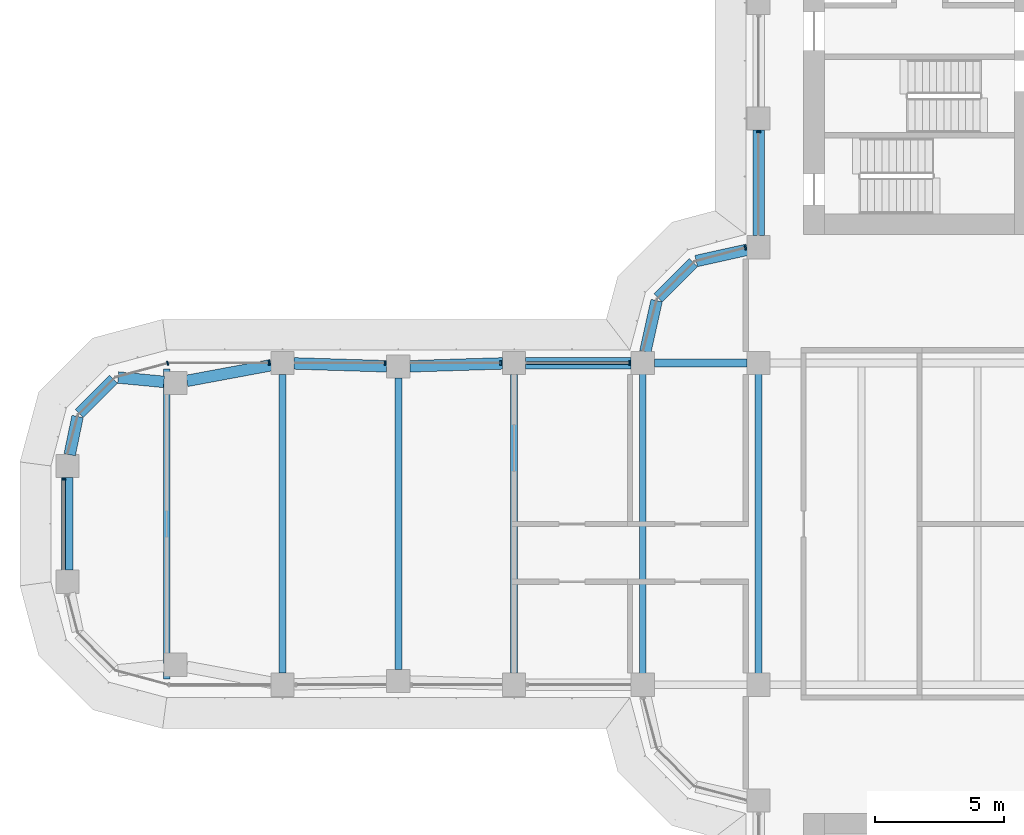
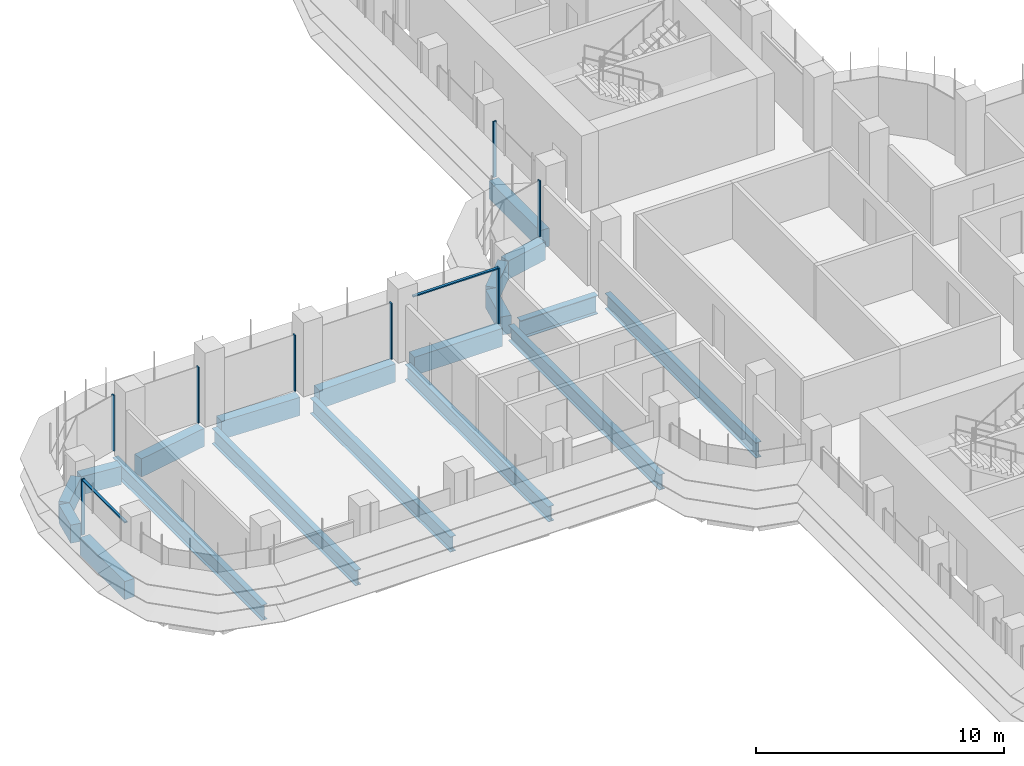
# One storey, part 6 of 22: 19 beams, 10 members, 5 elements without a shape of their own.
"""IFC4 building model written with IfcOpenShell, lengths in metres."""

from ifc_helpers import new_model, si_unit, direction, frame, origin, origin_2d, place, context, subcontext, project, spatial, polyline, rectangle, i_section, outline, extrude, source, transform, mapped, material, material_profile, profile_set, type_object, element, aggregate, save


model = new_model("IFC4")

# Units and contexts
model_context = context("Model", 3, precision=1e-05, world=origin(), true_north=direction((0.0, 1.0)))
body_context = subcontext(model_context, "Body", "Model", "MODEL_VIEW")
ifc_project = project(units=[si_unit("LENGTHUNIT", "METRE"), si_unit("AREAUNIT", "SQUARE_METRE"), si_unit("VOLUMEUNIT", "CUBIC_METRE"), si_unit("PLANEANGLEUNIT", "RADIAN"), si_unit("MASSUNIT", "GRAM", prefix="KILO")], contexts=[model_context])

# Site, building, storey
site_placement = place(None, origin())
site = spatial("IfcSite", under=ifc_project, at=site_placement, CompositionType="ELEMENT")
building_placement = place(site_placement, origin())
building = spatial("IfcBuilding", under=site, at=building_placement, Name="Zarbagh Exchange Tower", CompositionType="ELEMENT")
storey_placement = place(building_placement, frame((0.0, 0.0, 132.199951171875)))
storey = spatial("IfcBuildingStorey", under=building, at=storey_placement, Name="L31", CompositionType="ELEMENT", Elevation=132.199951171875)

# Beams
ifc_material_1 = material(Name="Steel ASTM A992 Gr 50", Category="steel")
ifc_material_profile_1 = material_profile(ifc_material_1, i_section(OverallWidth=0.2666015625, OverallDepth=0.7568359375, WebThickness=0.013916015625, FlangeThickness=0.019287109375, at=origin_2d()), Name="W30X108")
ifc_profile_set_1 = profile_set([ifc_material_profile_1], Name="Steel ASTM A992 Gr 50")
beam_type_1 = type_object("IfcBeamType", Name="Floor beam W30X108", PredefinedType="BEAM", material=ifc_profile_set_1)
for number, where, z_axis, x_axis, name in (
    (1, (-10.75, -6.09765625, -0.5283203125), (0.0, 1.0, 0.0), (-1.0, 0.0, 0.0), "Steel floor beam"),
    (2, (-6.25, -6.09765625, -0.5283203125), (0.0, 1.0, 0.0), (-1.0, 0.0, 0.0), "Steel floor beam"),
):
    element("IfcBeam", number, at=place(storey_placement, frame(where, z_axis=z_axis, x_axis=x_axis)), inside=storey, type_object=beam_type_1, Name=name, PredefinedType="BEAM", context=body_context, shape_type="SweptSolid", body=[
        extrude(i_section(OverallWidth=0.2666015625, OverallDepth=0.7568359375, WebThickness=0.013916015625, FlangeThickness=0.019287109375, at=origin_2d()), origin(), (0.0, 0.0, 1.0), 12.1953125),
    ])
beam_1_placement = place(storey_placement, frame((-15.75, -5.800048828125, -0.5283203125), z_axis=(0.0, 1.0, 0.0), x_axis=(-1.0, 0.0, 0.0)))
element("IfcBeam", 3, at=beam_1_placement, inside=storey, type_object=beam_type_1, Name="Steel floor beam", PredefinedType="BEAM", context=body_context, shape_type="SweptSolid", body=[
    extrude(i_section(OverallWidth=0.2666015625, OverallDepth=0.7568359375, WebThickness=0.013916015625, FlangeThickness=0.019287109375, at=origin_2d()), origin(), (0.0, 0.0, 1.0), 11.60009765625),
])
beam_2_placement = place(storey_placement, frame((-20.25, -5.659912109375, -0.5283203125), z_axis=(0.0, 1.0, 0.0), x_axis=(-1.0, 0.0, 0.0)))
element("IfcBeam", 4, at=beam_2_placement, inside=storey, type_object=beam_type_1, Name="Steel floor beam", PredefinedType="BEAM", context=body_context, shape_type="SweptSolid", body=[
    extrude(i_section(OverallWidth=0.2666015625, OverallDepth=0.7568359375, WebThickness=0.013916015625, FlangeThickness=0.019287109375, at=origin_2d()), origin(), (0.0, 0.0, 1.0), 11.31982421875),
])
beam_3_placement = place(storey_placement, frame((-24.75, -5.800048828125, -0.5283203125), z_axis=(0.0, 1.0, 0.0), x_axis=(-1.0, 0.0, 0.0)))
element("IfcBeam", 5, at=beam_3_placement, inside=storey, type_object=beam_type_1, Name="Steel floor beam", PredefinedType="BEAM", context=body_context, shape_type="SweptSolid", body=[
    extrude(i_section(OverallWidth=0.2666015625, OverallDepth=0.7568359375, WebThickness=0.013916015625, FlangeThickness=0.019287109375, at=origin_2d()), origin(), (0.0, 0.0, 1.0), 11.60009765625),
])
beam_4_placement = place(storey_placement, frame((-29.25, -6.02490234375, -0.5283203125), z_axis=(0.0, 1.0, 0.0), x_axis=(-1.0, 0.0, 0.0)))
element("IfcBeam", 6, at=beam_4_placement, inside=storey, type_object=beam_type_1, Name="Steel floor beam", PredefinedType="BEAM", context=body_context, shape_type="SweptSolid", body=[
    extrude(i_section(OverallWidth=0.2666015625, OverallDepth=0.7568359375, WebThickness=0.013916015625, FlangeThickness=0.019287109375, at=origin_2d()), origin(), (0.0, 0.0, 1.0), 12.0498046875),
])
ifc_material_profile_2 = material_profile(ifc_material_1, i_section(OverallWidth=0.3046875, OverallDepth=0.911865234375, WebThickness=0.015869140625, FlangeThickness=0.02392578125, at=origin_2d()), Name="W36X150")
ifc_profile_set_2 = profile_set([ifc_material_profile_2], Name="Steel ASTM A992 Gr 50")
beam_type_2 = type_object("IfcBeamType", Name="Floor girder W36X150", PredefinedType="BEAM", material=ifc_profile_set_2)
beam_5_placement = place(storey_placement, frame((-10.300048828125, 6.25, -0.60595703125), z_axis=(1.0, 0.0, 0.0), x_axis=(0.0, 1.0, 0.0)))
element("IfcBeam", 7, at=beam_5_placement, inside=storey, type_object=beam_type_2, Name="Steel girder", PredefinedType="BEAM", context=body_context, shape_type="SweptSolid", body=[
    extrude(i_section(OverallWidth=0.3046875, OverallDepth=0.911865234375, WebThickness=0.015869140625, FlangeThickness=0.02392578125, at=origin_2d()), origin(), (0.0, 0.0, 1.0), 3.60009765625),
])
ifc_material_2 = material(Name="Concrete C60/75", Category="concrete")
ifc_material_profile_3 = material_profile(ifc_material_2, rectangle(XDim=0.449951171875, YDim=0.89990234375, at=origin_2d()), Name="RC spandrel beam 450 x 900 C60/75")
ifc_profile_set_3 = profile_set([ifc_material_profile_3], Name="Concrete C60/75")
beam_type_3 = type_object("IfcBeamType", Name="RC spandrel beam 450 x 900 C60/75", PredefinedType="SPANDREL", material=ifc_profile_set_3)
beam_6_placement = place(storey_placement, frame((-33.110107421875, -1.800048828125, -0.599853515625), z_axis=(0.0, 1.0, 0.0), x_axis=(-1.0, 0.0, 0.0)))
element("IfcBeam", 8, at=beam_6_placement, inside=storey, type_object=beam_type_3, Name="RC spandrel beam", PredefinedType="SPANDREL", context=body_context, shape_type="SweptSolid", body=[
    extrude(rectangle(XDim=0.449951171875, YDim=0.89990234375, at=origin_2d()), origin(), (0.0, 0.0, 1.0), 3.60009765625),
])
beam_7_placement = place(storey_placement, frame((-33.01904296875, 2.690673828125, -0.599853515625), z_axis=(0.202275417995, 0.979328675816, 0.0), x_axis=(-0.979328675816, 0.202275417995, 0.0)))
element("IfcBeam", 9, at=beam_7_placement, inside=storey, type_object=beam_type_3, Name="RC spandrel beam", PredefinedType="SPANDREL", context=body_context, shape_type="SweptSolid", body=[
    extrude(rectangle(XDim=0.449951171875, YDim=0.89990234375, at=origin_2d()), origin(), (0.0, 0.0, 1.0), 1.515869140625),
])
beam_8_placement = place(storey_placement, frame((-32.651123046875, 4.288818359375, -0.599853515625), z_axis=(0.707106781187, 0.707106781187, 0.0), x_axis=(-0.707106781187, 0.707106781187, 0.0)))
element("IfcBeam", 10, at=beam_8_placement, inside=storey, type_object=beam_type_3, Name="RC spandrel beam", PredefinedType="SPANDREL", context=body_context, shape_type="SweptSolid", body=[
    extrude(rectangle(XDim=0.449951171875, YDim=0.89990234375, at=origin_2d()), origin(), (0.0, 0.0, 1.0), 1.887939453125),
])
beam_9_placement = place(storey_placement, frame((-31.135498046875, 5.688720703125, -0.599853515625), z_axis=(0.995433267802, -0.095459988228, 0.0), x_axis=(0.095459988228, 0.995433267802, 0.0)))
element("IfcBeam", 11, at=beam_9_placement, inside=storey, type_object=beam_type_3, Name="RC spandrel beam", PredefinedType="SPANDREL", context=body_context, shape_type="SweptSolid", body=[
    extrude(rectangle(XDim=0.449951171875, YDim=0.89990234375, at=origin_2d()), origin(), (0.0, 0.0, 1.0), 1.78759765625),
])
beam_10_placement = place(storey_placement, frame((-28.465576171875, 5.5576171875, -0.599853515625), z_axis=(0.98308156541, 0.183168326277, 0.0), x_axis=(-0.183168326277, 0.98308156541, 0.0)))
element("IfcBeam", 12, at=beam_10_placement, inside=storey, type_object=beam_type_3, Name="RC spandrel beam", PredefinedType="SPANDREL", context=body_context, shape_type="SweptSolid", body=[
    extrude(rectangle(XDim=0.449951171875, YDim=0.89990234375, at=origin_2d()), origin(), (0.0, 0.0, 1.0), 3.32958984375),
])
for number, where, z_axis, x_axis, name in (
    (13, (-24.30029296875, 6.236083984375, -0.599853515625), (0.999516035224, -0.031107801747, 0.0), (0.031107801747, 0.999516035224, 0.0), "RC spandrel beam"),
    (14, (-19.80029296875, 6.1240234375, -0.599853515625), (0.999516035224, 0.031107801747, 0.0), (-0.031107801747, 0.999516035224, 0.0), "RC spandrel beam"),
):
    element("IfcBeam", number, at=place(storey_placement, frame(where, z_axis=z_axis, x_axis=x_axis)), inside=storey, type_object=beam_type_3, Name=name, PredefinedType="SPANDREL", context=body_context, shape_type="SweptSolid", body=[
        extrude(rectangle(XDim=0.449951171875, YDim=0.89990234375, at=origin_2d()), origin(), (0.0, 0.0, 1.0), 3.602294921875),
    ])
beam_11_placement = place(storey_placement, frame((-15.300048828125, 6.25, -0.599853515625), z_axis=(1.0, 0.0, 0.0), x_axis=(0.0, 1.0, 0.0)))
element("IfcBeam", 15, at=beam_11_placement, inside=storey, type_object=beam_type_3, Name="RC spandrel beam", PredefinedType="SPANDREL", context=body_context, shape_type="SweptSolid", body=[
    extrude(rectangle(XDim=0.449951171875, YDim=0.89990234375, at=origin_2d()), origin(), (0.0, 0.0, 1.0), 4.10009765625),
])
beam_12_placement = place(storey_placement, frame((-10.65283203125, 6.689453125, -0.599853515625), z_axis=(0.216117666208, 0.976367325525, 0.0), x_axis=(-0.976367325525, 0.216117666208, 0.0)))
element("IfcBeam", 16, at=beam_12_placement, inside=storey, type_object=beam_type_3, Name="RC spandrel beam", PredefinedType="SPANDREL", context=body_context, shape_type="SweptSolid", body=[
    extrude(rectangle(XDim=0.449951171875, YDim=0.89990234375, at=origin_2d()), origin(), (0.0, 0.0, 1.0), 2.03564453125),
])
beam_13_placement = place(storey_placement, frame((-10.15234375, 8.78759765625, -0.599853515625), z_axis=(0.707106781187, 0.707106781187, 0.0), x_axis=(-0.707106781187, 0.707106781187, 0.0)))
element("IfcBeam", 17, at=beam_13_placement, inside=storey, type_object=beam_type_3, Name="RC spandrel beam", PredefinedType="SPANDREL", context=body_context, shape_type="SweptSolid", body=[
    extrude(rectangle(XDim=0.449951171875, YDim=0.89990234375, at=origin_2d()), origin(), (0.0, 0.0, 1.0), 1.929931640625),
])
beam_14_placement = place(storey_placement, frame((-8.677001953125, 10.212890625, -0.599853515625), z_axis=(0.976367325525, 0.216117666208, 0.0), x_axis=(-0.216117666208, 0.976367325525, 0.0)))
element("IfcBeam", 18, at=beam_14_placement, inside=storey, type_object=beam_type_3, Name="RC spandrel beam", PredefinedType="SPANDREL", context=body_context, shape_type="SweptSolid", body=[
    extrude(rectangle(XDim=0.449951171875, YDim=0.89990234375, at=origin_2d()), origin(), (0.0, 0.0, 1.0), 2.03564453125),
])
beam_15_placement = place(storey_placement, frame((-6.25, 11.199951171875, -0.599853515625), z_axis=(0.0, 1.0, 0.0), x_axis=(-1.0, 0.0, 0.0)))
element("IfcBeam", 19, at=beam_15_placement, inside=storey, type_object=beam_type_3, Name="RC spandrel beam", PredefinedType="SPANDREL", context=body_context, shape_type="SweptSolid", body=[
    extrude(rectangle(XDim=0.449951171875, YDim=0.89990234375, at=origin_2d()), origin(), (0.0, 0.0, 1.0), 4.10009765625),
])

# Curtain wall, member
ifc_material_3 = material(Name="Anodised aluminium frame and glazing", Category="aluminium")
curtain_wall_type = type_object("IfcCurtainWallType", Name="CWA Ribbon glazing, lower zones", PredefinedType="NOTDEFINED", material=ifc_material_3)
curtain_wall_1_placement = place(storey_placement, origin())
curtain_wall_1 = element("IfcCurtainWall", 20, at=curtain_wall_1_placement, inside=storey, type_object=curtain_wall_type, Name="CWA56 curtain wall", PredefinedType="NOTDEFINED")
ifc_material_4 = material(Name="Anodised aluminium frame", Category="aluminium")
member_type_1 = type_object("IfcMemberType", Name="MUA Mullion, anodised aluminium frame", PredefinedType="MULLION", material=ifc_material_4)
shared_shape_1 = source(origin(), body_context, "Body", "SweptSolid", [
    extrude(outline(polyline([(0.0, -0.080078125), (0.06005859375, -0.080078125), (0.06005859375, 0.080078125), (0.0, 0.080078125), (0.0, -0.080078125)])), origin(), (0.0, 0.0, 1.0), 2.75),
])
placement = place(storey_placement, origin())
member_1 = element("IfcMember", 21, at=placement, type_object=member_type_1, Name="CWA56 mullion 4.1", PredefinedType="MULLION", context=body_context, shape_type="MappedRepresentation", body=[
    mapped(shared_shape_1, transform((-6.25, 15.260009765625, 0.0), x_axis=(0.0, -1.0, 0.0), y_axis=(1.0, 0.0, 0.0), z_axis=(0.0, 0.0, 1.0))),
])
aggregate(curtain_wall_1, [member_1])

curtain_wall_2_placement = place(storey_placement, origin())
curtain_wall_2 = element("IfcCurtainWall", 22, at=curtain_wall_2_placement, inside=storey, type_object=curtain_wall_type, Name="CWA29 curtain wall", PredefinedType="NOTDEFINED")
member_2 = element("IfcMember", 23, at=placement, type_object=member_type_1, Name="CWA29 mullion 1.1", PredefinedType="MULLION", context=body_context, shape_type="MappedRepresentation", body=[
    mapped(shared_shape_1, transform((-6.739990234375, 10.735107421875, 0.0), x_axis=(-0.965924289636, -0.258824779902, 0.0), y_axis=(0.258824779902, -0.965924289636, 0.0), z_axis=(0.0, 0.0, 1.0))),
])
aggregate(curtain_wall_2, [member_2])

# Curtain wall, members
curtain_wall_3_placement = place(storey_placement, origin())
curtain_wall_3 = element("IfcCurtainWall", 24, at=curtain_wall_3_placement, inside=storey, type_object=curtain_wall_type, Name="CWA32 curtain wall", PredefinedType="NOTDEFINED")
member_3 = element("IfcMember", 25, at=placement, type_object=member_type_1, Name="CWA32 mullion 1.1", PredefinedType="MULLION", context=body_context, shape_type="MappedRepresentation", body=[
    mapped(shared_shape_1, transform((-11.239990234375, 6.25, 0.0), x_axis=(-1.0, 0.0, 0.0), y_axis=(0.0, -1.0, 0.0), z_axis=(0.0, 0.0, 1.0))),
])
member_4 = element("IfcMember", 26, at=placement, type_object=member_type_1, Name="CWA32 mullion 2.1", PredefinedType="MULLION", context=body_context, shape_type="MappedRepresentation", body=[
    mapped(shared_shape_1, transform((-16.239990234375, 6.25, 0.0), x_axis=(-1.0, 0.0, 0.0), y_axis=(0.0, -1.0, 0.0), z_axis=(0.0, 0.0, 1.0))),
])
member_5 = element("IfcMember", 27, at=placement, type_object=member_type_1, Name="CWA32 mullion 3.1", PredefinedType="MULLION", context=body_context, shape_type="MappedRepresentation", body=[
    mapped(shared_shape_1, transform((-20.739990234375, 6.25, 0.0), x_axis=(-1.0, 0.0, 0.0), y_axis=(0.0, -1.0, 0.0), z_axis=(0.0, 0.0, 1.0))),
])
member_6 = element("IfcMember", 28, at=placement, type_object=member_type_1, Name="CWA32 mullion 4.1", PredefinedType="MULLION", context=body_context, shape_type="MappedRepresentation", body=[
    mapped(shared_shape_1, transform((-25.239990234375, 6.25, 0.0), x_axis=(-1.0, 0.0, 0.0), y_axis=(0.0, -1.0, 0.0), z_axis=(0.0, 0.0, 1.0))),
])

# Curtain wall, member
curtain_wall_4_placement = place(storey_placement, origin())
curtain_wall_4 = element("IfcCurtainWall", 29, at=curtain_wall_4_placement, inside=storey, type_object=curtain_wall_type, Name="CWA33 curtain wall", PredefinedType="NOTDEFINED")
member_7 = element("IfcMember", 30, at=placement, type_object=member_type_1, Name="CWA33 mullion 1.1", PredefinedType="MULLION", context=body_context, shape_type="MappedRepresentation", body=[
    mapped(shared_shape_1, transform((-29.18408203125, 6.25, 0.0), x_axis=(-0.965924289636, -0.258824779902, 0.0), y_axis=(0.258824779902, -0.965924289636, 0.0), z_axis=(0.0, 0.0, 1.0))),
])
aggregate(curtain_wall_4, [member_7])

curtain_wall_5_placement = place(storey_placement, origin())
curtain_wall_5 = element("IfcCurtainWall", 31, at=curtain_wall_5_placement, inside=storey, type_object=curtain_wall_type, Name="CWA36 curtain wall", PredefinedType="NOTDEFINED")
member_8 = element("IfcMember", 32, at=placement, type_object=member_type_1, Name="CWA36 mullion 1.1", PredefinedType="MULLION", context=body_context, shape_type="MappedRepresentation", body=[
    mapped(shared_shape_1, transform((-33.25, 1.760009765625, 0.0), x_axis=(0.0, -1.0, 0.0), y_axis=(1.0, 0.0, 0.0), z_axis=(0.0, 0.0, 1.0))),
])

# Member
member_type_2 = type_object("IfcMemberType", Name="TRA Transom, anodised aluminium frame", PredefinedType="USERDEFINED", material=ifc_material_4)
shared_shape_2 = source(origin(), body_context, "Body", "SweptSolid", [
    extrude(outline(polyline([(-0.06005859375, -0.06005859375), (0.0, -0.06005859375), (0.0, 0.06005859375), (-0.06005859375, 0.06005859375), (-0.06005859375, -0.06005859375)])), origin(), (0.0, 0.0, 1.0), 3.9599609375),
])
member_9 = element("IfcMember", 33, at=placement, type_object=member_type_2, Name="CWA32 transom 1.1", ObjectType="TRANSOM", PredefinedType="USERDEFINED", context=body_context, shape_type="MappedRepresentation", body=[
    mapped(shared_shape_2, transform((-11.300048828125, 6.25, 2.75), x_axis=(0.0, 0.0, 1.0), y_axis=(0.0, 1.0, 0.0), z_axis=(-1.0, 0.0, 0.0))),
])

aggregate(curtain_wall_3, [member_3, member_9, member_4, member_5, member_6])

shared_shape_3 = source(origin(), body_context, "Body", "SweptSolid", [
    extrude(outline(polyline([(-0.06005859375, -0.06005859375), (0.0, -0.06005859375), (0.0, 0.06005859375), (-0.06005859375, 0.06005859375), (-0.06005859375, -0.06005859375)])), origin(), (0.0, 0.0, 1.0), 3.4599609375),
])
member_10 = element("IfcMember", 34, at=placement, type_object=member_type_2, Name="CWA36 transom 1.1", ObjectType="TRANSOM", PredefinedType="USERDEFINED", context=body_context, shape_type="MappedRepresentation", body=[
    mapped(shared_shape_3, transform((-33.25, 1.699951171875, 2.75), x_axis=(0.0, 0.0, 1.0), y_axis=(-1.0, 0.0, 0.0), z_axis=(0.0, -1.0, 0.0))),
])

aggregate(curtain_wall_5, [member_8, member_10])

save(model, "model.ifc")
